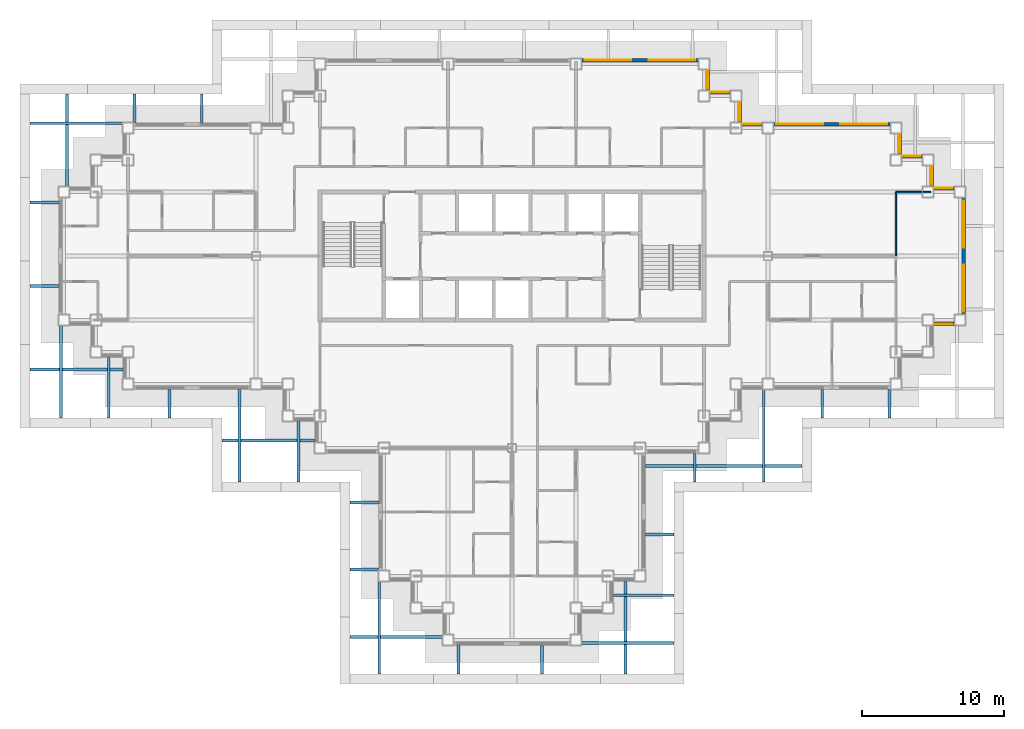
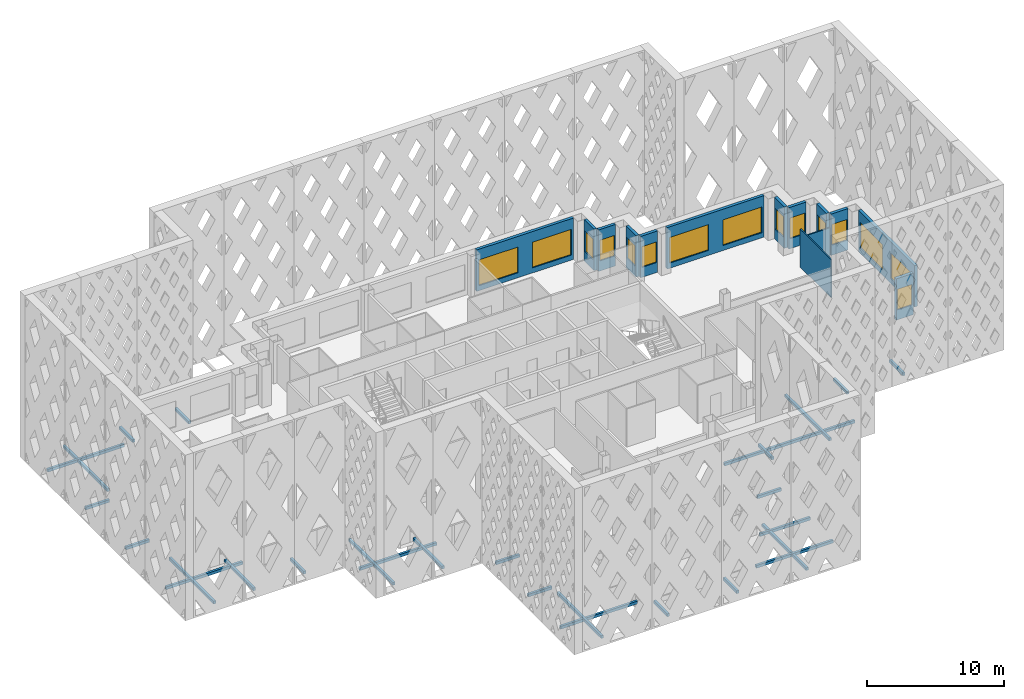
# One storey, part 9 of 19: 28 discrete accessories, 15 windows, 14 walls, 15 openings.
"""IFC4 building model written with IfcOpenShell, lengths in metres."""

import ifcopenshell
import ifcopenshell.guid

model = None  # the IFC model being written
_history = None  # IfcOwnerHistory: only IFC2X3 demands one
_inside = {}  # id of a spatial element -> (the spatial element, [elements in it])
_under = {}  # id of a project, library or spatial element -> (it, [spatial elements below it])
_declared = {}  # id of a project -> (the project, [libraries it declares])
_typed = {}  # id of a type object -> (the type object, [elements of that type])
_made_of = {}  # id of a material, layer set ... -> (it, [elements and type objects made of it])


def new_model(schema):
    """Start an empty IFC model of exactly this schema.

    Asked for "IFC4X3", IfcOpenShell would pick the latest addendum, in which some entities
    have other attributes; the version numbers below select the first issue.
    IFC2X3 requires an IfcOwnerHistory on every rooted entity: one is made here for all.
    """
    global model, _history
    if schema == "IFC4X3":
        model = ifcopenshell.file(schema_version=(4, 3, 0, 0))
    else:
        model = ifcopenshell.file(schema=schema)
    _inside.clear()
    _under.clear()
    _declared.clear()
    _typed.clear()
    _made_of.clear()
    _history = None
    if model.schema == "IFC2X3":
        org = make("IfcOrganization", Name="unknown")
        user = make(
            "IfcPersonAndOrganization",
            ThePerson=make("IfcPerson", FamilyName="unknown"),
            TheOrganization=org,
        )
        app = make(
            "IfcApplication",
            ApplicationDeveloper=org,
            Version="unknown",
            ApplicationFullName="unknown",
            ApplicationIdentifier="unknown",
        )
        _history = make(
            "IfcOwnerHistory",
            OwningUser=user,
            OwningApplication=app,
            ChangeAction="ADDED",
            CreationDate=0,
        )
    return model


def make(cls, **values):
    """One entity of the class cls with the attributes given. An attribute that is None is left unset."""
    return model.create_entity(
        cls, **{name: value for name, value in values.items() if value is not None}
    )


def rooted(cls, **values):
    """An entity with a GlobalId (a new one), such as an element, a storey or a relation."""
    return make(cls, GlobalId=ifcopenshell.guid.new(), OwnerHistory=_history, **values)


def si_unit(unit_type, name, prefix=None):
    """IfcSIUnit, for example si_unit("LENGTHUNIT", "METRE", prefix="MILLI")."""
    return make("IfcSIUnit", UnitType=unit_type, Prefix=prefix, Name=name)


def assignment(units):
    """IfcUnitAssignment: the units of a project."""
    return None if units is None else make("IfcUnitAssignment", Units=units)


def point(xyz):
    """IfcCartesianPoint."""
    return None if xyz is None else make("IfcCartesianPoint", Coordinates=xyz)


def direction(xyz):
    """IfcDirection."""
    return None if xyz is None else make("IfcDirection", DirectionRatios=xyz)


def frame(location, z_axis=None, x_axis=None):
    """IfcAxis2Placement3D, a coordinate frame: its origin and axes. An axis left out is left unset."""
    return make(
        "IfcAxis2Placement3D",
        Location=point(location),
        Axis=direction(z_axis),
        RefDirection=direction(x_axis),
    )


def frame_2d(location, x_axis=None):
    """IfcAxis2Placement2D, a coordinate frame in the plane: its origin and x axis."""
    return make(
        "IfcAxis2Placement2D", Location=point(location), RefDirection=direction(x_axis)
    )


def origin():
    """The frame at (0, 0, 0) with its axes left unset."""
    return frame((0.0, 0.0, 0.0))


def origin_2d():
    """The frame at (0, 0) in the plane with its x axis left unset."""
    return frame_2d((0.0, 0.0))


def place(relative_to, where):
    """IfcLocalPlacement: puts the frame where relative to a parent placement (None: the world)."""
    return make(
        "IfcLocalPlacement", PlacementRelTo=relative_to, RelativePlacement=where
    )


def context(
    kind, dimensions, precision=None, world=None, true_north=None, identifier=None
):
    """IfcGeometricRepresentationContext, for example the 3D "Model" context."""
    return make(
        "IfcGeometricRepresentationContext",
        ContextIdentifier=identifier,
        ContextType=kind,
        CoordinateSpaceDimension=dimensions,
        Precision=precision,
        WorldCoordinateSystem=world,
        TrueNorth=true_north,
    )


def subcontext(parent, identifier, kind, view, scale=None):
    """IfcGeometricRepresentationSubContext, for example "Body" below "Model"."""
    return make(
        "IfcGeometricRepresentationSubContext",
        ContextIdentifier=identifier,
        ContextType=kind,
        ParentContext=parent,
        TargetScale=scale,
        TargetView=view,
    )


def project(units=None, contexts=None):
    """IfcProject with its units and contexts."""
    return rooted(
        "IfcProject",
        Name="project",
        RepresentationContexts=contexts,
        UnitsInContext=assignment(units),
    )


def spatial(cls, under=None, at=None, **own):
    """A site, building, storey or space (cls), placed at a placement, below another one or the project."""
    s = rooted(cls, ObjectPlacement=at, **own)
    if under is not None:
        _under.setdefault(under.id(), (under, []))[1].append(s)
    return s


def profile(cls, at=None, kind="AREA", **sizes):
    """A parametric profile (cls). Its sizes go by their IFC names, for example OverallWidth=200.0."""
    return make(cls, ProfileType=kind, Position=at, **sizes)


def rectangle(**sizes):
    """IfcRectangleProfileDef."""
    return profile("IfcRectangleProfileDef", **sizes)


def extrude(swept, where, along, depth):
    """IfcExtrudedAreaSolid: the profile swept, set in the frame where, extruded along a direction by depth."""
    return make(
        "IfcExtrudedAreaSolid",
        SweptArea=swept,
        Position=where,
        ExtrudedDirection=direction(along),
        Depth=depth,
    )


def shape(context_of_items, identifier, shape_type, items):
    """IfcShapeRepresentation: the items that make up one representation, for example the "Body"."""
    return make(
        "IfcShapeRepresentation",
        ContextOfItems=context_of_items,
        RepresentationIdentifier=identifier,
        RepresentationType=shape_type,
        Items=items,
    )


def material(Name=None, Category=None):
    """IfcMaterial."""
    return make("IfcMaterial", Name=Name, Category=Category)


def layer(
    of_material, thickness, ventilated=None, Name=None, Category=None, Priority=None
):
    """IfcMaterialLayer: one layer of a wall or slab, of a material (None: an air gap)."""
    return make(
        "IfcMaterialLayer",
        Material=of_material,
        LayerThickness=thickness,
        IsVentilated=ventilated,
        Name=Name,
        Category=Category,
        Priority=Priority,
    )


def layer_set(layers, Name=None):
    """IfcMaterialLayerSet."""
    return make("IfcMaterialLayerSet", MaterialLayers=layers, LayerSetName=Name)


def made_of(thing, what):
    """Note that an element or type object is made of a material, layer set ...; save() writes the relation."""
    if what is not None:
        _made_of.setdefault(what.id(), (what, []))[1].append(thing)
    return thing


def type_object(cls, material=None, **own):
    """A type object (cls), such as IfcWallType, which elements share."""
    return made_of(rooted(cls, **own), material)


def element(
    cls,
    number,
    at=None,
    inside=None,
    cuts=None,
    type_object=None,
    material=None,
    context=None,
    identifier="Body",
    shape_type=None,
    held_by="IfcProductDefinitionShape",
    body=None,
    shapes=None,
    **own,
):
    """One element of the class cls, such as IfcWall. Its Tag is "e" and its number.

    at: its placement. inside: the storey or other place that contains it. cuts: it is an
    opening in that element (IfcRelVoidsElement). A single representation is given by context,
    identifier, shape_type and body (its items); several are given by shapes. held_by: the class
    of the entity that holds the representations. save() writes the other relations.
    """
    e = rooted(cls, Tag="e%d" % number, ObjectPlacement=at, **own)
    if body is not None:
        shapes = [shape(context, identifier, shape_type, body)]
    if shapes is not None:
        e.Representation = make(held_by, Representations=shapes)
    if inside is not None:
        _inside.setdefault(inside.id(), (inside, []))[1].append(e)
    if cuts is not None:
        rooted(
            "IfcRelVoidsElement", RelatingBuildingElement=cuts, RelatedOpeningElement=e
        )
    if type_object is not None:
        _typed.setdefault(type_object.id(), (type_object, []))[1].append(e)
    return made_of(e, material)


def fill(opening, filler):
    """IfcRelFillsElement: the door or window that sits in an opening."""
    return rooted(
        "IfcRelFillsElement",
        RelatingOpeningElement=opening,
        RelatedBuildingElement=filler,
    )


def aggregate(whole, parts):
    """IfcRelAggregates: a whole, such as a stair, and the parts it consists of."""
    return rooted("IfcRelAggregates", RelatingObject=whole, RelatedObjects=parts)


def save(model, path):
    """Write the relations noted so far, then the file.

    IfcRelAggregates (storeys below a building ...), IfcRelContainedInSpatialStructure (elements
    in a storey), IfcRelDefinesByType, IfcRelAssociatesMaterial and IfcRelDeclares: one each for
    every whole, place, type object, material and project.
    """
    for whole, parts in _under.values():
        aggregate(whole, parts)
    for where, things in _inside.values():
        rooted(
            "IfcRelContainedInSpatialStructure",
            RelatedElements=things,
            RelatingStructure=where,
        )
    for kind, things in _typed.values():
        rooted("IfcRelDefinesByType", RelatedObjects=things, RelatingType=kind)
    for what, things in _made_of.values():
        rooted("IfcRelAssociatesMaterial", RelatedObjects=things, RelatingMaterial=what)
    for by, libraries in _declared.values():
        rooted("IfcRelDeclares", RelatingContext=by, RelatedDefinitions=libraries)
    model.write(path)


model = new_model("IFC4")

# Units and contexts
model_context = context("Model", 3, precision=1e-05, world=origin(), true_north=direction((0.0, 1.0)))
body_context = subcontext(model_context, "Body", "Model", "MODEL_VIEW")
ifc_project = project(units=[si_unit("LENGTHUNIT", "METRE"), si_unit("AREAUNIT", "SQUARE_METRE"), si_unit("VOLUMEUNIT", "CUBIC_METRE"), si_unit("PLANEANGLEUNIT", "RADIAN"), si_unit("MASSUNIT", "GRAM", prefix="KILO")], contexts=[model_context])

# Site, building, storey
site_placement = place(None, origin())
site = spatial("IfcSite", under=ifc_project, at=site_placement, CompositionType="ELEMENT")
building_placement = place(site_placement, origin())
building = spatial("IfcBuilding", under=site, at=building_placement, Name="Caravel Reach Hotel and Residences", CompositionType="ELEMENT")
storey_placement = place(building_placement, frame((0.0, 0.0, 150.60009765625)))
storey = spatial("IfcBuildingStorey", under=building, at=storey_placement, Name="L37", CompositionType="ELEMENT", Elevation=150.60009765625)

# Wall, opening, window
ifc_material_1 = material(Name="Insulated rainscreen wall, aluminium cladding", Category="aluminium")
ifc_layer_1 = layer(ifc_material_1, 0.25)
ifc_layer_set_1 = layer_set([ifc_layer_1], Name="EW1 Tower rainscreen wall")
wall_type_1 = type_object("IfcWallType", Name="EW1 Tower rainscreen wall", PredefinedType="SOLIDWALL", material=ifc_layer_set_1)
wall_1_placement = place(storey_placement, frame((61.14990234375, 22.22509765625, 0.0), z_axis=(0.0, 0.0, 1.0), x_axis=(1.0, 0.0, 0.0)))
wall_1 = element("IfcWall", 1, at=wall_1_placement, inside=storey, type_object=wall_type_1, Name="External wall L37 S19.1", PredefinedType="SOLIDWALL", context=body_context, shape_type="SweptSolid", body=[
    extrude(rectangle(XDim=1.4501953125, YDim=0.25, at=frame_2d((0.72509765625, 0.0))), origin(), (0.0, 0.0, 1.0), 3.699951171875),
])
opening_1_placement = place(wall_1_placement, frame((0.10009765625, 0.0, 0.89990234375)))
opening_1 = element("IfcOpeningElement", 2, at=opening_1_placement, cuts=wall_1, Name="Opening WN13", PredefinedType="OPENING", context=body_context, shape_type="SweptSolid", body=[
    extrude(rectangle(XDim=1.25, YDim=1.85009765625, at=frame_2d((0.625, 0.925048828125))), frame((0.0, 0.135009765625, 0.0), z_axis=(0.0, -1.0, 0.0), x_axis=(1.0, 0.0, 0.0)), (0.0, 0.0, 1.0), 0.27001953125),
])
ifc_material_2 = material(Name="Dark low-e glazing in black aluminium frame", Category="aluminium")
window_type_1 = type_object("IfcWindowType", Name="Residence bedroom window 1250 x 1850", PartitioningType="SINGLE_PANEL", PredefinedType="WINDOW", material=ifc_material_2)
window_1_placement = place(opening_1_placement, origin())
window_1 = element("IfcWindow", 3, at=window_1_placement, inside=storey, type_object=window_type_1, Name="Window L37 S19.1.1", OverallHeight=1.85009765625, OverallWidth=1.25, PartitioningType="SINGLE_PANEL", PredefinedType="WINDOW", context=body_context, shape_type="SweptSolid", body=[
    extrude(rectangle(XDim=1.25, YDim=1.85009765625, at=frame_2d((0.625, 0.925048828125))), frame((0.0, 0.030029296875, 0.0), z_axis=(0.0, -1.0, 0.0), x_axis=(1.0, 0.0, 0.0)), (0.0, 0.0, 1.0), 0.06005859375),
])
fill(opening_1, window_1)

# Wall, openings, windows
wall_2_placement = place(storey_placement, frame((63.27490234375, 22.89990234375, 0.0), z_axis=(0.0, 0.0, 1.0), x_axis=(0.0, 1.0, 0.0)))
wall_2 = element("IfcWall", 4, at=wall_2_placement, inside=storey, type_object=wall_type_1, Name="External wall L37 E20.1", PredefinedType="SOLIDWALL", context=body_context, shape_type="SweptSolid", body=[
    extrude(rectangle(XDim=8.2001953125, YDim=0.25, at=frame_2d((4.10009765625, 0.0))), origin(), (0.0, 0.0, 1.0), 3.699951171875),
])
opening_2_placement = place(wall_2_placement, frame((0.199951171875, 0.0, 0.449951171875)))
opening_2 = element("IfcOpeningElement", 5, at=opening_2_placement, cuts=wall_2, Name="Opening WN15", PredefinedType="OPENING", context=body_context, shape_type="SweptSolid", body=[
    extrude(rectangle(XDim=3.300048828125, YDim=2.300048828125, at=frame_2d((1.64990234375, 1.14990234375))), frame((0.0, 0.135009765625, 0.0), z_axis=(0.0, -1.0, 0.0), x_axis=(1.0, 0.0, 0.0)), (0.0, 0.0, 1.0), 0.27001953125),
])
opening_3_placement = place(wall_2_placement, frame((4.699951171875, 0.0, 0.449951171875)))
opening_3 = element("IfcOpeningElement", 6, at=opening_3_placement, cuts=wall_2, Name="Opening WN15", PredefinedType="OPENING", context=body_context, shape_type="SweptSolid", body=[
    extrude(rectangle(XDim=3.300048828125, YDim=2.300048828125, at=frame_2d((1.64990234375, 1.14990234375))), frame((0.0, 0.135009765625, 0.0), z_axis=(0.0, -1.0, 0.0), x_axis=(1.0, 0.0, 0.0)), (0.0, 0.0, 1.0), 0.27001953125),
])
ifc_material_3 = material(Name="Dark low-e glazing in black aluminium frame", Category="aluminium")
window_type_2 = type_object("IfcWindowType", Name="Residence living window 3300 x 2300", PartitioningType="SINGLE_PANEL", PredefinedType="WINDOW", material=ifc_material_3)
window_2_placement = place(opening_2_placement, origin())
window_2 = element("IfcWindow", 7, at=window_2_placement, inside=storey, type_object=window_type_2, Name="Window L37 E20.1.1", OverallHeight=2.300048828125, OverallWidth=3.300048828125, PartitioningType="SINGLE_PANEL", PredefinedType="WINDOW", context=body_context, shape_type="SweptSolid", body=[
    extrude(rectangle(XDim=3.300048828125, YDim=2.300048828125, at=frame_2d((1.64990234375, 1.14990234375))), frame((0.0, 0.030029296875, 0.0), z_axis=(0.0, -1.0, 0.0), x_axis=(1.0, 0.0, 0.0)), (0.0, 0.0, 1.0), 0.06005859375),
])
fill(opening_2, window_2)
window_3_placement = place(opening_3_placement, origin())
window_3 = element("IfcWindow", 8, at=window_3_placement, inside=storey, type_object=window_type_2, Name="Window L37 E20.1.2", OverallHeight=2.300048828125, OverallWidth=3.300048828125, PartitioningType="SINGLE_PANEL", PredefinedType="WINDOW", context=body_context, shape_type="SweptSolid", body=[
    extrude(rectangle(XDim=3.300048828125, YDim=2.300048828125, at=frame_2d((1.64990234375, 1.14990234375))), frame((0.0, 0.030029296875, 0.0), z_axis=(0.0, -1.0, 0.0), x_axis=(1.0, 0.0, 0.0)), (0.0, 0.0, 1.0), 0.06005859375),
])
fill(opening_3, window_3)

# Wall, opening, window
wall_3_placement = place(storey_placement, frame((62.60009765625, 31.77490234375, 0.0), z_axis=(0.0, 0.0, 1.0), x_axis=(-1.0, 0.0, 0.0)))
wall_3 = element("IfcWall", 9, at=wall_3_placement, inside=storey, type_object=wall_type_1, Name="External wall L37 N21.1", PredefinedType="SOLIDWALL", context=body_context, shape_type="SweptSolid", body=[
    extrude(rectangle(XDim=1.4501953125, YDim=0.25, at=frame_2d((0.72509765625, 0.0))), origin(), (0.0, 0.0, 1.0), 3.699951171875),
])
opening_4_placement = place(wall_3_placement, frame((0.10009765625, 0.0, 0.89990234375)))
opening_4 = element("IfcOpeningElement", 10, at=opening_4_placement, cuts=wall_3, Name="Opening WN13", PredefinedType="OPENING", context=body_context, shape_type="SweptSolid", body=[
    extrude(rectangle(XDim=1.25, YDim=1.85009765625, at=frame_2d((0.625, 0.925048828125))), frame((0.0, 0.135009765625, 0.0), z_axis=(0.0, -1.0, 0.0), x_axis=(1.0, 0.0, 0.0)), (0.0, 0.0, 1.0), 0.27001953125),
])
window_4_placement = place(opening_4_placement, origin())
window_4 = element("IfcWindow", 11, at=window_4_placement, inside=storey, type_object=window_type_1, Name="Window L37 N21.1.1", OverallHeight=1.85009765625, OverallWidth=1.25, PartitioningType="SINGLE_PANEL", PredefinedType="WINDOW", context=body_context, shape_type="SweptSolid", body=[
    extrude(rectangle(XDim=1.25, YDim=1.85009765625, at=frame_2d((0.625, 0.925048828125))), frame((0.0, 0.030029296875, 0.0), z_axis=(0.0, -1.0, 0.0), x_axis=(1.0, 0.0, 0.0)), (0.0, 0.0, 1.0), 0.06005859375),
])
fill(opening_4, window_4)

wall_4_placement = place(storey_placement, frame((61.02490234375, 31.89990234375, 0.0), z_axis=(0.0, 0.0, 1.0), x_axis=(0.0, 1.0, 0.0)))
wall_4 = element("IfcWall", 12, at=wall_4_placement, inside=storey, type_object=wall_type_1, Name="External wall L37 E22.1", PredefinedType="SOLIDWALL", context=body_context, shape_type="SweptSolid", body=[
    extrude(rectangle(XDim=1.4501953125, YDim=0.25, at=frame_2d((0.72509765625, 0.0))), origin(), (0.0, 0.0, 1.0), 3.699951171875),
])
opening_5_placement = place(wall_4_placement, frame((0.10009765625, 0.0, 0.89990234375)))
opening_5 = element("IfcOpeningElement", 13, at=opening_5_placement, cuts=wall_4, Name="Opening WN13", PredefinedType="OPENING", context=body_context, shape_type="SweptSolid", body=[
    extrude(rectangle(XDim=1.25, YDim=1.85009765625, at=frame_2d((0.625, 0.925048828125))), frame((0.0, 0.135009765625, 0.0), z_axis=(0.0, -1.0, 0.0), x_axis=(1.0, 0.0, 0.0)), (0.0, 0.0, 1.0), 0.27001953125),
])
window_5_placement = place(opening_5_placement, origin())
window_5 = element("IfcWindow", 14, at=window_5_placement, inside=storey, type_object=window_type_1, Name="Window L37 E22.1.1", OverallHeight=1.85009765625, OverallWidth=1.25, PartitioningType="SINGLE_PANEL", PredefinedType="WINDOW", context=body_context, shape_type="SweptSolid", body=[
    extrude(rectangle(XDim=1.25, YDim=1.85009765625, at=frame_2d((0.625, 0.925048828125))), frame((0.0, 0.030029296875, 0.0), z_axis=(0.0, -1.0, 0.0), x_axis=(1.0, 0.0, 0.0)), (0.0, 0.0, 1.0), 0.06005859375),
])
fill(opening_5, window_5)

wall_5_placement = place(storey_placement, frame((60.35009765625, 34.02490234375, 0.0), z_axis=(0.0, 0.0, 1.0), x_axis=(-1.0, 0.0, 0.0)))
wall_5 = element("IfcWall", 15, at=wall_5_placement, inside=storey, type_object=wall_type_1, Name="External wall L37 N23.1", PredefinedType="SOLIDWALL", context=body_context, shape_type="SweptSolid", body=[
    extrude(rectangle(XDim=1.4501953125, YDim=0.25, at=frame_2d((0.72509765625, 0.0))), origin(), (0.0, 0.0, 1.0), 3.699951171875),
])
opening_6_placement = place(wall_5_placement, frame((0.10009765625, 0.0, 0.89990234375)))
opening_6 = element("IfcOpeningElement", 16, at=opening_6_placement, cuts=wall_5, Name="Opening WN13", PredefinedType="OPENING", context=body_context, shape_type="SweptSolid", body=[
    extrude(rectangle(XDim=1.25, YDim=1.85009765625, at=frame_2d((0.625, 0.925048828125))), frame((0.0, 0.135009765625, 0.0), z_axis=(0.0, -1.0, 0.0), x_axis=(1.0, 0.0, 0.0)), (0.0, 0.0, 1.0), 0.27001953125),
])
window_6_placement = place(opening_6_placement, origin())
window_6 = element("IfcWindow", 17, at=window_6_placement, inside=storey, type_object=window_type_1, Name="Window L37 N23.1.1", OverallHeight=1.85009765625, OverallWidth=1.25, PartitioningType="SINGLE_PANEL", PredefinedType="WINDOW", context=body_context, shape_type="SweptSolid", body=[
    extrude(rectangle(XDim=1.25, YDim=1.85009765625, at=frame_2d((0.625, 0.925048828125))), frame((0.0, 0.030029296875, 0.0), z_axis=(0.0, -1.0, 0.0), x_axis=(1.0, 0.0, 0.0)), (0.0, 0.0, 1.0), 0.06005859375),
])
fill(opening_6, window_6)

wall_6_placement = place(storey_placement, frame((58.77490234375, 34.14990234375, 0.0), z_axis=(0.0, 0.0, 1.0), x_axis=(0.0, 1.0, 0.0)))
wall_6 = element("IfcWall", 18, at=wall_6_placement, inside=storey, type_object=wall_type_1, Name="External wall L37 E24.1", PredefinedType="SOLIDWALL", context=body_context, shape_type="SweptSolid", body=[
    extrude(rectangle(XDim=1.4501953125, YDim=0.25, at=frame_2d((0.72509765625, 0.0))), origin(), (0.0, 0.0, 1.0), 3.699951171875),
])
opening_7_placement = place(wall_6_placement, frame((0.10009765625, 0.0, 0.89990234375)))
opening_7 = element("IfcOpeningElement", 19, at=opening_7_placement, cuts=wall_6, Name="Opening WN13", PredefinedType="OPENING", context=body_context, shape_type="SweptSolid", body=[
    extrude(rectangle(XDim=1.25, YDim=1.85009765625, at=frame_2d((0.625, 0.925048828125))), frame((0.0, 0.135009765625, 0.0), z_axis=(0.0, -1.0, 0.0), x_axis=(1.0, 0.0, 0.0)), (0.0, 0.0, 1.0), 0.27001953125),
])
window_7_placement = place(opening_7_placement, origin())
window_7 = element("IfcWindow", 20, at=window_7_placement, inside=storey, type_object=window_type_1, Name="Window L37 E24.1.1", OverallHeight=1.85009765625, OverallWidth=1.25, PartitioningType="SINGLE_PANEL", PredefinedType="WINDOW", context=body_context, shape_type="SweptSolid", body=[
    extrude(rectangle(XDim=1.25, YDim=1.85009765625, at=frame_2d((0.625, 0.925048828125))), frame((0.0, 0.030029296875, 0.0), z_axis=(0.0, -1.0, 0.0), x_axis=(1.0, 0.0, 0.0)), (0.0, 0.0, 1.0), 0.06005859375),
])
fill(opening_7, window_7)

# Wall, openings, windows
wall_7_placement = place(storey_placement, frame((58.10009765625, 36.27490234375, 0.0), z_axis=(0.0, 0.0, 1.0), x_axis=(-1.0, 0.0, 0.0)))
wall_7 = element("IfcWall", 21, at=wall_7_placement, inside=storey, type_object=wall_type_1, Name="External wall L37 N25.1", PredefinedType="SOLIDWALL", context=body_context, shape_type="SweptSolid", body=[
    extrude(rectangle(XDim=8.2001953125, YDim=0.25, at=frame_2d((4.10009765625, 0.0))), origin(), (0.0, 0.0, 1.0), 3.699951171875),
])
opening_8_placement = place(wall_7_placement, frame((0.199951171875, 0.0, 0.449951171875)))
opening_8 = element("IfcOpeningElement", 22, at=opening_8_placement, cuts=wall_7, Name="Opening WN15", PredefinedType="OPENING", context=body_context, shape_type="SweptSolid", body=[
    extrude(rectangle(XDim=3.300048828125, YDim=2.300048828125, at=frame_2d((1.64990234375, 1.14990234375))), frame((0.0, 0.135009765625, 0.0), z_axis=(0.0, -1.0, 0.0), x_axis=(1.0, 0.0, 0.0)), (0.0, 0.0, 1.0), 0.27001953125),
])
opening_9_placement = place(wall_7_placement, frame((4.699951171875, 0.0, 0.449951171875)))
opening_9 = element("IfcOpeningElement", 23, at=opening_9_placement, cuts=wall_7, Name="Opening WN15", PredefinedType="OPENING", context=body_context, shape_type="SweptSolid", body=[
    extrude(rectangle(XDim=3.300048828125, YDim=2.300048828125, at=frame_2d((1.64990234375, 1.14990234375))), frame((0.0, 0.135009765625, 0.0), z_axis=(0.0, -1.0, 0.0), x_axis=(1.0, 0.0, 0.0)), (0.0, 0.0, 1.0), 0.27001953125),
])
window_8_placement = place(opening_8_placement, origin())
window_8 = element("IfcWindow", 24, at=window_8_placement, inside=storey, type_object=window_type_2, Name="Window L37 N25.1.1", OverallHeight=2.300048828125, OverallWidth=3.300048828125, PartitioningType="SINGLE_PANEL", PredefinedType="WINDOW", context=body_context, shape_type="SweptSolid", body=[
    extrude(rectangle(XDim=3.300048828125, YDim=2.300048828125, at=frame_2d((1.64990234375, 1.14990234375))), frame((0.0, 0.030029296875, 0.0), z_axis=(0.0, -1.0, 0.0), x_axis=(1.0, 0.0, 0.0)), (0.0, 0.0, 1.0), 0.06005859375),
])
fill(opening_8, window_8)
window_9_placement = place(opening_9_placement, origin())
window_9 = element("IfcWindow", 25, at=window_9_placement, inside=storey, type_object=window_type_2, Name="Window L37 N25.1.2", OverallHeight=2.300048828125, OverallWidth=3.300048828125, PartitioningType="SINGLE_PANEL", PredefinedType="WINDOW", context=body_context, shape_type="SweptSolid", body=[
    extrude(rectangle(XDim=3.300048828125, YDim=2.300048828125, at=frame_2d((1.64990234375, 1.14990234375))), frame((0.0, 0.030029296875, 0.0), z_axis=(0.0, -1.0, 0.0), x_axis=(1.0, 0.0, 0.0)), (0.0, 0.0, 1.0), 0.06005859375),
])
fill(opening_9, window_9)

# Wall, opening, window
wall_8_placement = place(storey_placement, frame((49.10009765625, 36.27490234375, 0.0), z_axis=(0.0, 0.0, 1.0), x_axis=(-1.0, 0.0, 0.0)))
wall_8 = element("IfcWall", 26, at=wall_8_placement, inside=storey, type_object=wall_type_1, Name="External wall L37 N25.2", PredefinedType="SOLIDWALL", context=body_context, shape_type="SweptSolid", body=[
    extrude(rectangle(XDim=1.4501953125, YDim=0.25, at=frame_2d((0.72509765625, 0.0))), origin(), (0.0, 0.0, 1.0), 3.699951171875),
])
opening_10_placement = place(wall_8_placement, frame((0.10009765625, 0.0, 0.89990234375)))
opening_10 = element("IfcOpeningElement", 27, at=opening_10_placement, cuts=wall_8, Name="Opening WN13", PredefinedType="OPENING", context=body_context, shape_type="SweptSolid", body=[
    extrude(rectangle(XDim=1.25, YDim=1.85009765625, at=frame_2d((0.625, 0.925048828125))), frame((0.0, 0.135009765625, 0.0), z_axis=(0.0, -1.0, 0.0), x_axis=(1.0, 0.0, 0.0)), (0.0, 0.0, 1.0), 0.27001953125),
])
window_10_placement = place(opening_10_placement, origin())
window_10 = element("IfcWindow", 28, at=window_10_placement, inside=storey, type_object=window_type_1, Name="Window L37 N25.2.1", OverallHeight=1.85009765625, OverallWidth=1.25, PartitioningType="SINGLE_PANEL", PredefinedType="WINDOW", context=body_context, shape_type="SweptSolid", body=[
    extrude(rectangle(XDim=1.25, YDim=1.85009765625, at=frame_2d((0.625, 0.925048828125))), frame((0.0, 0.030029296875, 0.0), z_axis=(0.0, -1.0, 0.0), x_axis=(1.0, 0.0, 0.0)), (0.0, 0.0, 1.0), 0.06005859375),
])
fill(opening_10, window_10)

wall_9_placement = place(storey_placement, frame((47.52490234375, 36.39990234375, 0.0), z_axis=(0.0, 0.0, 1.0), x_axis=(0.0, 1.0, 0.0)))
wall_9 = element("IfcWall", 29, at=wall_9_placement, inside=storey, type_object=wall_type_1, Name="External wall L37 E26.1", PredefinedType="SOLIDWALL", context=body_context, shape_type="SweptSolid", body=[
    extrude(rectangle(XDim=1.4501953125, YDim=0.25, at=frame_2d((0.72509765625, 0.0))), origin(), (0.0, 0.0, 1.0), 3.699951171875),
])
opening_11_placement = place(wall_9_placement, frame((0.10009765625, 0.0, 0.89990234375)))
opening_11 = element("IfcOpeningElement", 30, at=opening_11_placement, cuts=wall_9, Name="Opening WN13", PredefinedType="OPENING", context=body_context, shape_type="SweptSolid", body=[
    extrude(rectangle(XDim=1.25, YDim=1.85009765625, at=frame_2d((0.625, 0.925048828125))), frame((0.0, 0.135009765625, 0.0), z_axis=(0.0, -1.0, 0.0), x_axis=(1.0, 0.0, 0.0)), (0.0, 0.0, 1.0), 0.27001953125),
])
window_11_placement = place(opening_11_placement, origin())
window_11 = element("IfcWindow", 31, at=window_11_placement, inside=storey, type_object=window_type_1, Name="Window L37 E26.1.1", OverallHeight=1.85009765625, OverallWidth=1.25, PartitioningType="SINGLE_PANEL", PredefinedType="WINDOW", context=body_context, shape_type="SweptSolid", body=[
    extrude(rectangle(XDim=1.25, YDim=1.85009765625, at=frame_2d((0.625, 0.925048828125))), frame((0.0, 0.030029296875, 0.0), z_axis=(0.0, -1.0, 0.0), x_axis=(1.0, 0.0, 0.0)), (0.0, 0.0, 1.0), 0.06005859375),
])
fill(opening_11, window_11)

wall_10_placement = place(storey_placement, frame((46.85009765625, 38.52490234375, 0.0), z_axis=(0.0, 0.0, 1.0), x_axis=(-1.0, 0.0, 0.0)))
wall_10 = element("IfcWall", 32, at=wall_10_placement, inside=storey, type_object=wall_type_1, Name="External wall L37 N27.1", PredefinedType="SOLIDWALL", context=body_context, shape_type="SweptSolid", body=[
    extrude(rectangle(XDim=1.4501953125, YDim=0.25, at=frame_2d((0.72509765625, 0.0))), origin(), (0.0, 0.0, 1.0), 3.699951171875),
])
opening_12_placement = place(wall_10_placement, frame((0.10009765625, 0.0, 0.89990234375)))
opening_12 = element("IfcOpeningElement", 33, at=opening_12_placement, cuts=wall_10, Name="Opening WN13", PredefinedType="OPENING", context=body_context, shape_type="SweptSolid", body=[
    extrude(rectangle(XDim=1.25, YDim=1.85009765625, at=frame_2d((0.625, 0.925048828125))), frame((0.0, 0.135009765625, 0.0), z_axis=(0.0, -1.0, 0.0), x_axis=(1.0, 0.0, 0.0)), (0.0, 0.0, 1.0), 0.27001953125),
])
window_12_placement = place(opening_12_placement, origin())
window_12 = element("IfcWindow", 34, at=window_12_placement, inside=storey, type_object=window_type_1, Name="Window L37 N27.1.1", OverallHeight=1.85009765625, OverallWidth=1.25, PartitioningType="SINGLE_PANEL", PredefinedType="WINDOW", context=body_context, shape_type="SweptSolid", body=[
    extrude(rectangle(XDim=1.25, YDim=1.85009765625, at=frame_2d((0.625, 0.925048828125))), frame((0.0, 0.030029296875, 0.0), z_axis=(0.0, -1.0, 0.0), x_axis=(1.0, 0.0, 0.0)), (0.0, 0.0, 1.0), 0.06005859375),
])
fill(opening_12, window_12)

wall_11_placement = place(storey_placement, frame((45.27490234375, 38.64990234375, 0.0), z_axis=(0.0, 0.0, 1.0), x_axis=(0.0, 1.0, 0.0)))
wall_11 = element("IfcWall", 35, at=wall_11_placement, inside=storey, type_object=wall_type_1, Name="External wall L37 E28.1", PredefinedType="SOLIDWALL", context=body_context, shape_type="SweptSolid", body=[
    extrude(rectangle(XDim=1.4501953125, YDim=0.25, at=frame_2d((0.72509765625, 0.0))), origin(), (0.0, 0.0, 1.0), 3.699951171875),
])
opening_13_placement = place(wall_11_placement, frame((0.10009765625, 0.0, 0.89990234375)))
opening_13 = element("IfcOpeningElement", 36, at=opening_13_placement, cuts=wall_11, Name="Opening WN13", PredefinedType="OPENING", context=body_context, shape_type="SweptSolid", body=[
    extrude(rectangle(XDim=1.25, YDim=1.85009765625, at=frame_2d((0.625, 0.925048828125))), frame((0.0, 0.135009765625, 0.0), z_axis=(0.0, -1.0, 0.0), x_axis=(1.0, 0.0, 0.0)), (0.0, 0.0, 1.0), 0.27001953125),
])
window_13_placement = place(opening_13_placement, origin())
window_13 = element("IfcWindow", 37, at=window_13_placement, inside=storey, type_object=window_type_1, Name="Window L37 E28.1.1", OverallHeight=1.85009765625, OverallWidth=1.25, PartitioningType="SINGLE_PANEL", PredefinedType="WINDOW", context=body_context, shape_type="SweptSolid", body=[
    extrude(rectangle(XDim=1.25, YDim=1.85009765625, at=frame_2d((0.625, 0.925048828125))), frame((0.0, 0.030029296875, 0.0), z_axis=(0.0, -1.0, 0.0), x_axis=(1.0, 0.0, 0.0)), (0.0, 0.0, 1.0), 0.06005859375),
])
fill(opening_13, window_13)

# Wall, openings, windows
wall_12_placement = place(storey_placement, frame((44.60009765625, 40.77490234375, 0.0), z_axis=(0.0, 0.0, 1.0), x_axis=(-1.0, 0.0, 0.0)))
wall_12 = element("IfcWall", 38, at=wall_12_placement, inside=storey, type_object=wall_type_1, Name="External wall L37 N29.1", PredefinedType="SOLIDWALL", context=body_context, shape_type="SweptSolid", body=[
    extrude(rectangle(XDim=8.2001953125, YDim=0.25, at=frame_2d((4.10009765625, 0.0))), origin(), (0.0, 0.0, 1.0), 3.699951171875),
])
opening_14_placement = place(wall_12_placement, frame((0.199951171875, 0.0, 0.449951171875)))
opening_14 = element("IfcOpeningElement", 39, at=opening_14_placement, cuts=wall_12, Name="Opening WN15", PredefinedType="OPENING", context=body_context, shape_type="SweptSolid", body=[
    extrude(rectangle(XDim=3.300048828125, YDim=2.300048828125, at=frame_2d((1.64990234375, 1.14990234375))), frame((0.0, 0.135009765625, 0.0), z_axis=(0.0, -1.0, 0.0), x_axis=(1.0, 0.0, 0.0)), (0.0, 0.0, 1.0), 0.27001953125),
])
opening_15_placement = place(wall_12_placement, frame((4.699951171875, 0.0, 0.449951171875)))
opening_15 = element("IfcOpeningElement", 40, at=opening_15_placement, cuts=wall_12, Name="Opening WN15", PredefinedType="OPENING", context=body_context, shape_type="SweptSolid", body=[
    extrude(rectangle(XDim=3.300048828125, YDim=2.300048828125, at=frame_2d((1.64990234375, 1.14990234375))), frame((0.0, 0.135009765625, 0.0), z_axis=(0.0, -1.0, 0.0), x_axis=(1.0, 0.0, 0.0)), (0.0, 0.0, 1.0), 0.27001953125),
])
window_14_placement = place(opening_14_placement, origin())
window_14 = element("IfcWindow", 41, at=window_14_placement, inside=storey, type_object=window_type_2, Name="Window L37 N29.1.1", OverallHeight=2.300048828125, OverallWidth=3.300048828125, PartitioningType="SINGLE_PANEL", PredefinedType="WINDOW", context=body_context, shape_type="SweptSolid", body=[
    extrude(rectangle(XDim=3.300048828125, YDim=2.300048828125, at=frame_2d((1.64990234375, 1.14990234375))), frame((0.0, 0.030029296875, 0.0), z_axis=(0.0, -1.0, 0.0), x_axis=(1.0, 0.0, 0.0)), (0.0, 0.0, 1.0), 0.06005859375),
])
fill(opening_14, window_14)
window_15_placement = place(opening_15_placement, origin())
window_15 = element("IfcWindow", 42, at=window_15_placement, inside=storey, type_object=window_type_2, Name="Window L37 N29.1.2", OverallHeight=2.300048828125, OverallWidth=3.300048828125, PartitioningType="SINGLE_PANEL", PredefinedType="WINDOW", context=body_context, shape_type="SweptSolid", body=[
    extrude(rectangle(XDim=3.300048828125, YDim=2.300048828125, at=frame_2d((1.64990234375, 1.14990234375))), frame((0.0, 0.030029296875, 0.0), z_axis=(0.0, -1.0, 0.0), x_axis=(1.0, 0.0, 0.0)), (0.0, 0.0, 1.0), 0.06005859375),
])
fill(opening_15, window_15)

# Walls
ifc_material_4 = material(Name="Gypsum board on steel stud", Category="steel")
ifc_layer_2 = layer(ifc_material_4, 0.10009765625)
ifc_layer_set_2 = layer_set([ifc_layer_2], Name="Partition 100 mm")
wall_type_2 = type_object("IfcWallType", Name="Partition 100 mm", PredefinedType="PARTITIONING", material=ifc_layer_set_2)
wall_13_placement = place(storey_placement, frame((58.5009765625, 31.5, 0.0), z_axis=(0.0, 0.0, 1.0), x_axis=(1.0, 0.0, 0.0)))
element("IfcWall", 43, at=wall_13_placement, inside=storey, type_object=wall_type_2, Name="L37 wall w041", PredefinedType="PARTITIONING", context=body_context, shape_type="SweptSolid", body=[
    extrude(rectangle(XDim=2.43896484375, YDim=0.10009765625, at=frame_2d((1.219482421875, 0.0))), origin(), (0.0, 0.0, 1.0), 2.679931640625),
])
wall_14_placement = place(storey_placement, frame((58.5, 27.0, 0.0), z_axis=(0.0, 0.0, 1.0), x_axis=(0.0, 1.0, 0.0)))
element("IfcWall", 44, at=wall_14_placement, inside=storey, type_object=wall_type_2, Name="L37 wall w070", PredefinedType="PARTITIONING", context=body_context, shape_type="SweptSolid", body=[
    extrude(rectangle(XDim=4.5, YDim=0.10009765625, at=frame_2d((2.25, 0.0))), origin(), (0.0, 0.0, 1.0), 3.39990234375),
])

# Discrete accessories
ifc_material_5 = material(Name="Black powder-coated aluminium", Category="aluminium")
discrete_accessory_type = type_object("IfcDiscreteAccessoryType", Name="BR1 Screen bracket", PredefinedType="BRACKET", material=ifc_material_5)
for number, where, z_axis, x_axis, name in (
    (45, (21.10009765625, 9.679931640625, 0.099853515625), (0.0, 0.0, 1.0), (-1.0, 0.0, 0.0), "Screen bracket L37 1.1.1"),
    (46, (21.10009765625, 4.94677734375, 0.099853515625), (0.0, 0.0, 1.0), (-1.0, 0.0, 0.0), "Screen bracket L37 1.2.1"),
):
    element("IfcDiscreteAccessory", number, at=place(storey_placement, frame(where, z_axis=z_axis, x_axis=x_axis)), inside=storey, type_object=discrete_accessory_type, Name=name, PredefinedType="BRACKET", context=body_context, shape_type="SweptSolid", body=[
        extrude(rectangle(XDim=2.0, YDim=0.199951171875, at=origin_2d()), origin(), (0.0, 0.0, 1.0), 0.25),
    ])
for number, where, z_axis, x_axis, name in (
    (47, (23.35009765625, 0.21337890625, 0.099853515625), (0.0, 0.0, 1.0), (-1.0, 0.0, 0.0), "Screen bracket L37 1.3.1"),
    (48, (22.16259765625, 0.85009765625, 0.099853515625), (0.0, 0.0, 1.0), (0.0, -1.0, 0.0), "Screen bracket L37 2.1.1"),
):
    element("IfcDiscreteAccessory", number, at=place(storey_placement, frame(where, z_axis=z_axis, x_axis=x_axis)), inside=storey, type_object=discrete_accessory_type, Name=name, PredefinedType="BRACKET", context=body_context, shape_type="SweptSolid", body=[
        extrude(rectangle(XDim=6.5, YDim=0.199951171875, at=origin_2d()), origin(), (0.0, 0.0, 1.0), 0.25),
    ])
for number, where, z_axis, x_axis, name in (
    (49, (27.737548828125, -1.39990234375, 0.099853515625), (0.0, 0.0, 1.0), (0.0, -1.0, 0.0), "Screen bracket L37 2.2.1"),
    (50, (33.612548828125, -1.39990234375, 0.099853515625), (0.0, 0.0, 1.0), (0.0, -1.0, 0.0), "Screen bracket L37 2.3.1"),
):
    element("IfcDiscreteAccessory", number, at=place(storey_placement, frame(where, z_axis=z_axis, x_axis=x_axis)), inside=storey, type_object=discrete_accessory_type, Name=name, PredefinedType="BRACKET", context=body_context, shape_type="SweptSolid", body=[
        extrude(rectangle(XDim=2.0, YDim=0.199951171875, at=origin_2d()), origin(), (0.0, 0.0, 1.0), 0.25),
    ])
for number, where, z_axis, x_axis, name in (
    (51, (39.487548828125, 0.85009765625, 0.099853515625), (0.0, 0.0, 1.0), (0.0, -1.0, 0.0), "Screen bracket L37 2.4.1"),
    (52, (39.64990234375, -0.219970703125, 0.099853515625), (0.0, 0.0, 1.0), (1.0, 0.0, 0.0), "Screen bracket L37 3.1.1"),
):
    element("IfcDiscreteAccessory", number, at=place(storey_placement, frame(where, z_axis=z_axis, x_axis=x_axis)), inside=storey, type_object=discrete_accessory_type, Name=name, PredefinedType="BRACKET", context=body_context, shape_type="SweptSolid", body=[
        extrude(rectangle(XDim=6.5, YDim=0.199951171875, at=origin_2d()), origin(), (0.0, 0.0, 1.0), 0.25),
    ])
discrete_accessory_1_placement = place(storey_placement, frame((40.77490234375, 3.146728515625, 0.099853515625), z_axis=(0.0, 0.0, 1.0), x_axis=(1.0, 0.0, 0.0)))
element("IfcDiscreteAccessory", 53, at=discrete_accessory_1_placement, inside=storey, type_object=discrete_accessory_type, Name="Screen bracket L37 3.2.1", PredefinedType="BRACKET", context=body_context, shape_type="SweptSolid", body=[
    extrude(rectangle(XDim=4.25, YDim=0.199951171875, at=origin_2d()), origin(), (0.0, 0.0, 1.0), 0.25),
])
for number, where, z_axis, x_axis, name in (
    (54, (41.89990234375, 7.413330078125, 0.099853515625), (0.0, 0.0, 1.0), (1.0, 0.0, 0.0), "Screen bracket L37 3.3.1"),
    (55, (44.35498046875, 12.10009765625, 0.099853515625), (0.0, 0.0, 1.0), (0.0, -1.0, 0.0), "Screen bracket L37 4.1.1"),
):
    element("IfcDiscreteAccessory", number, at=place(storey_placement, frame(where, z_axis=z_axis, x_axis=x_axis)), inside=storey, type_object=discrete_accessory_type, Name=name, PredefinedType="BRACKET", context=body_context, shape_type="SweptSolid", body=[
        extrude(rectangle(XDim=2.0, YDim=0.199951171875, at=origin_2d()), origin(), (0.0, 0.0, 1.0), 0.25),
    ])
discrete_accessory_2_placement = place(storey_placement, frame((49.205078125, 14.35009765625, 0.099853515625), z_axis=(0.0, 0.0, 1.0), x_axis=(0.0, -1.0, 0.0)))
element("IfcDiscreteAccessory", 56, at=discrete_accessory_2_placement, inside=storey, type_object=discrete_accessory_type, Name="Screen bracket L37 4.2.1", PredefinedType="BRACKET", context=body_context, shape_type="SweptSolid", body=[
    extrude(rectangle(XDim=6.5, YDim=0.199951171875, at=origin_2d()), origin(), (0.0, 0.0, 1.0), 0.25),
])
discrete_accessory_3_placement = place(storey_placement, frame((46.39990234375, 12.239990234375, 0.099853515625), z_axis=(0.0, 0.0, 1.0), x_axis=(1.0, 0.0, 0.0)))
element("IfcDiscreteAccessory", 57, at=discrete_accessory_3_placement, inside=storey, type_object=discrete_accessory_type, Name="Screen bracket L37 5.1.1", PredefinedType="BRACKET", context=body_context, shape_type="SweptSolid", body=[
    extrude(rectangle(XDim=11.0, YDim=0.199951171875, at=origin_2d()), origin(), (0.0, 0.0, 1.0), 0.25),
])
for number, where, z_axis, x_axis, name in (
    (58, (53.320068359375, 16.60009765625, 0.099853515625), (0.0, 0.0, 1.0), (0.0, -1.0, 0.0), "Screen bracket L37 6.1.1"),
    (59, (58.05322265625, 16.60009765625, 0.099853515625), (0.0, 0.0, 1.0), (0.0, -1.0, 0.0), "Screen bracket L37 6.2.1"),
    (60, (9.679931640625, 37.39990234375, 0.099853515625), (0.0, 0.0, 1.0), (0.0, 1.0, 0.0), "Screen bracket L37 12.1.1"),
    (61, (4.94677734375, 37.39990234375, 0.099853515625), (0.0, 0.0, 1.0), (0.0, 1.0, 0.0), "Screen bracket L37 12.2.1"),
):
    element("IfcDiscreteAccessory", number, at=place(storey_placement, frame(where, z_axis=z_axis, x_axis=x_axis)), inside=storey, type_object=discrete_accessory_type, Name=name, PredefinedType="BRACKET", context=body_context, shape_type="SweptSolid", body=[
        extrude(rectangle(XDim=2.0, YDim=0.199951171875, at=origin_2d()), origin(), (0.0, 0.0, 1.0), 0.25),
    ])
for number, where, z_axis, x_axis, name in (
    (62, (0.21337890625, 35.14990234375, 0.099853515625), (0.0, 0.0, 1.0), (0.0, 1.0, 0.0), "Screen bracket L37 12.3.1"),
    (63, (0.85009765625, 36.33740234375, 0.099853515625), (0.0, 0.0, 1.0), (-1.0, 0.0, 0.0), "Screen bracket L37 13.1.1"),
):
    element("IfcDiscreteAccessory", number, at=place(storey_placement, frame(where, z_axis=z_axis, x_axis=x_axis)), inside=storey, type_object=discrete_accessory_type, Name=name, PredefinedType="BRACKET", context=body_context, shape_type="SweptSolid", body=[
        extrude(rectangle(XDim=6.5, YDim=0.199951171875, at=origin_2d()), origin(), (0.0, 0.0, 1.0), 0.25),
    ])
for number, where, z_axis, x_axis, name in (
    (64, (-1.39990234375, 30.762451171875, 0.099853515625), (0.0, 0.0, 1.0), (-1.0, 0.0, 0.0), "Screen bracket L37 13.2.1"),
    (65, (-1.39990234375, 24.887451171875, 0.099853515625), (0.0, 0.0, 1.0), (-1.0, 0.0, 0.0), "Screen bracket L37 13.3.1"),
):
    element("IfcDiscreteAccessory", number, at=place(storey_placement, frame(where, z_axis=z_axis, x_axis=x_axis)), inside=storey, type_object=discrete_accessory_type, Name=name, PredefinedType="BRACKET", context=body_context, shape_type="SweptSolid", body=[
        extrude(rectangle(XDim=2.0, YDim=0.199951171875, at=origin_2d()), origin(), (0.0, 0.0, 1.0), 0.25),
    ])
for number, where, z_axis, x_axis, name in (
    (66, (0.85009765625, 19.012451171875, 0.099853515625), (0.0, 0.0, 1.0), (-1.0, 0.0, 0.0), "Screen bracket L37 13.4.1"),
    (67, (-0.219970703125, 18.85009765625, 0.099853515625), (0.0, 0.0, 1.0), (0.0, -1.0, 0.0), "Screen bracket L37 14.1.1"),
):
    element("IfcDiscreteAccessory", number, at=place(storey_placement, frame(where, z_axis=z_axis, x_axis=x_axis)), inside=storey, type_object=discrete_accessory_type, Name=name, PredefinedType="BRACKET", context=body_context, shape_type="SweptSolid", body=[
        extrude(rectangle(XDim=6.5, YDim=0.199951171875, at=origin_2d()), origin(), (0.0, 0.0, 1.0), 0.25),
    ])
discrete_accessory_4_placement = place(storey_placement, frame((3.146728515625, 17.72509765625, 0.099853515625), z_axis=(0.0, 0.0, 1.0), x_axis=(0.0, -1.0, 0.0)))
element("IfcDiscreteAccessory", 68, at=discrete_accessory_4_placement, inside=storey, type_object=discrete_accessory_type, Name="Screen bracket L37 14.2.1", PredefinedType="BRACKET", context=body_context, shape_type="SweptSolid", body=[
    extrude(rectangle(XDim=4.25, YDim=0.199951171875, at=origin_2d()), origin(), (0.0, 0.0, 1.0), 0.25),
])
discrete_accessory_5_placement = place(storey_placement, frame((7.413330078125, 16.60009765625, 0.099853515625), z_axis=(0.0, 0.0, 1.0), x_axis=(0.0, -1.0, 0.0)))
element("IfcDiscreteAccessory", 69, at=discrete_accessory_5_placement, inside=storey, type_object=discrete_accessory_type, Name="Screen bracket L37 14.3.1", PredefinedType="BRACKET", context=body_context, shape_type="SweptSolid", body=[
    extrude(rectangle(XDim=2.0, YDim=0.199951171875, at=origin_2d()), origin(), (0.0, 0.0, 1.0), 0.25),
])
for number, where, z_axis, x_axis, name in (
    (70, (14.35009765625, 14.0400390625, 0.099853515625), (0.0, 0.0, 1.0), (-1.0, 0.0, 0.0), "Screen bracket L37 15.1.1"),
    (71, (12.344970703125, 14.35009765625, 0.099853515625), (0.0, 0.0, 1.0), (0.0, -1.0, 0.0), "Screen bracket L37 16.1.1"),
):
    element("IfcDiscreteAccessory", number, at=place(storey_placement, frame(where, z_axis=z_axis, x_axis=x_axis)), inside=storey, type_object=discrete_accessory_type, Name=name, PredefinedType="BRACKET", context=body_context, shape_type="SweptSolid", body=[
        extrude(rectangle(XDim=6.5, YDim=0.199951171875, at=origin_2d()), origin(), (0.0, 0.0, 1.0), 0.25),
    ])
discrete_accessory_6_placement = place(storey_placement, frame((16.4951171875, 13.22509765625, 0.099853515625), z_axis=(0.0, 0.0, 1.0), x_axis=(0.0, -1.0, 0.0)))
element("IfcDiscreteAccessory", 72, at=discrete_accessory_6_placement, inside=storey, type_object=discrete_accessory_type, Name="Screen bracket L37 16.2.1", PredefinedType="BRACKET", context=body_context, shape_type="SweptSolid", body=[
    extrude(rectangle(XDim=4.25, YDim=0.199951171875, at=origin_2d()), origin(), (0.0, 0.0, 1.0), 0.25),
])

save(model, "model.ifc")
